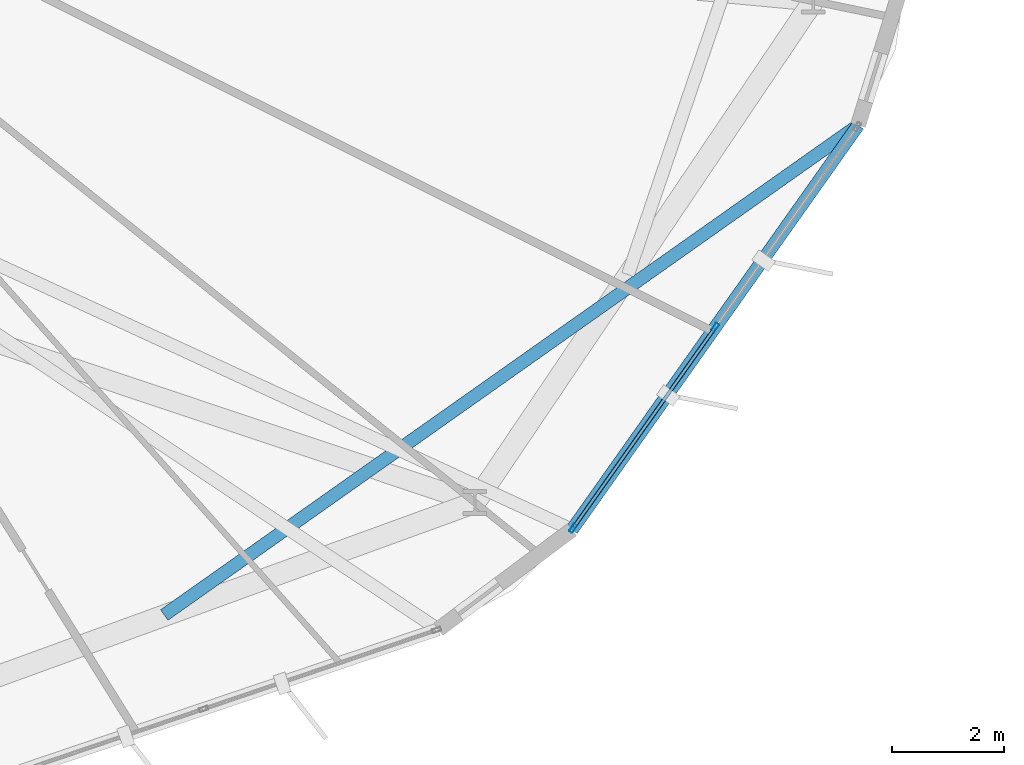
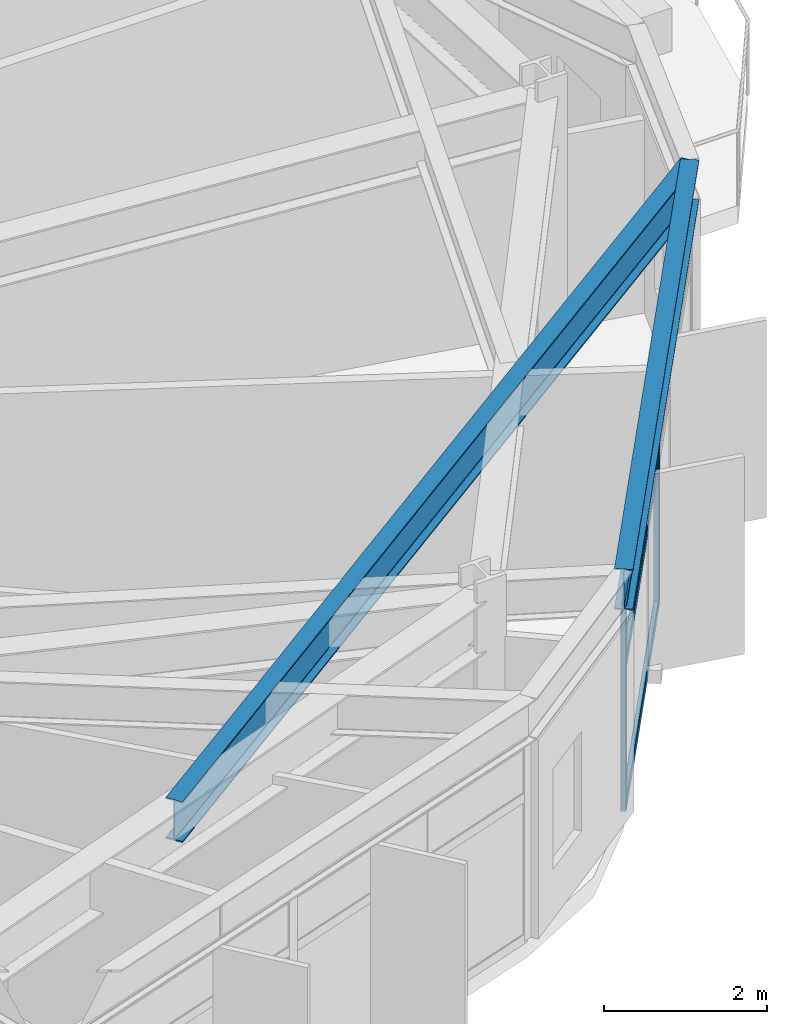
# One storey, part 11 of 25: 5 members, 2 beams, 1 element without a shape of its own.
"""IFC4 building model written with IfcOpenShell, lengths in metres."""

from ifc_helpers import new_model, si_unit, direction, frame, origin, origin_2d, place, context, subcontext, project, spatial, hollow_rectangle, i_section, extrude, material, layer, layer_set, material_profile, profile_set, type_object, element, aggregate, save


model = new_model("IFC4")

# Units and contexts
model_context = context("Model", 3, precision=1e-05, world=origin(), true_north=direction((0.0, 1.0)))
body_context = subcontext(model_context, "Body", "Model", "MODEL_VIEW")
ifc_project = project(units=[si_unit("LENGTHUNIT", "METRE"), si_unit("AREAUNIT", "SQUARE_METRE"), si_unit("VOLUMEUNIT", "CUBIC_METRE"), si_unit("PLANEANGLEUNIT", "RADIAN"), si_unit("MASSUNIT", "GRAM", prefix="KILO")], contexts=[model_context])

# Site, building, storey
site_placement = place(None, origin())
site = spatial("IfcSite", under=ifc_project, at=site_placement, CompositionType="ELEMENT")
building_placement = place(site_placement, origin())
building = spatial("IfcBuilding", under=site, at=building_placement, Name="Soratama Intermodal Tower", CompositionType="ELEMENT")
storey_placement = place(building_placement, frame((0.0, 0.0, 106.89990234375)))
storey = spatial("IfcBuildingStorey", under=building, at=storey_placement, Name="L25", CompositionType="ELEMENT", Elevation=106.89990234375)

# Beams
ifc_material_1 = material(Name="Structural steel ASTM A992 Grade 50", Category="steel")
ifc_material_profile_1 = material_profile(ifc_material_1, i_section(OverallWidth=0.22900390625, OverallDepth=0.612060546875, WebThickness=0.011962890625, FlangeThickness=0.01953125, FilletRadius=0.012939453125, at=origin_2d()), Name="W24X84")
ifc_profile_set_1 = profile_set([ifc_material_profile_1], Name="Structural steel ASTM A992 Grade 50")
beam_type_1 = type_object("IfcBeamType", Name="BM-SPN-W24X84", PredefinedType="SPANDREL", material=ifc_profile_set_1)
beam_1_placement = place(storey_placement, frame((57.43798828125, 10.805908203125, 3.294189453125), z_axis=(0.577605770841, 0.816315854, 0.0), x_axis=(-0.816315854, 0.577605770841, 0.0)))
element("IfcBeam", 1, at=beam_1_placement, inside=storey, type_object=beam_type_1, Name="BS-L25-F09", PredefinedType="SPANDREL", context=body_context, shape_type="SweptSolid", body=[
    extrude(i_section(OverallWidth=0.22900390625, OverallDepth=0.612060546875, WebThickness=0.011962890625, FlangeThickness=0.01953125, FilletRadius=0.012939453125, at=origin_2d()), origin(), (0.0, 0.0, 1.0), 8.806884765625),
])
ifc_material_2 = material(Name="Structural steel ASTM A992 Grade 50", Category="steel")
ifc_material_profile_2 = material_profile(ifc_material_2, i_section(OverallWidth=0.22900390625, OverallDepth=0.612060546875, WebThickness=0.011962890625, FlangeThickness=0.01953125, FilletRadius=0.012939453125, at=origin_2d()), Name="W24X84")
ifc_profile_set_2 = profile_set([ifc_material_profile_2], Name="Structural steel ASTM A992 Grade 50")
beam_type_2 = type_object("IfcBeamType", Name="BM-TIE-W24X84", PredefinedType="BEAM", material=ifc_profile_set_2)
beam_2_placement = place(storey_placement, frame((50.18896484375, 9.2890625, 3.294189453125), z_axis=(0.817019841808, 0.576609554284, 0.0), x_axis=(-0.576609554284, 0.817019841808, 0.0)))
element("IfcBeam", 2, at=beam_2_placement, inside=storey, type_object=beam_type_2, Name="BM-L25-TIE1-09", PredefinedType="BEAM", context=body_context, shape_type="SweptSolid", body=[
    extrude(i_section(OverallWidth=0.22900390625, OverallDepth=0.612060546875, WebThickness=0.011962890625, FlangeThickness=0.01953125, FilletRadius=0.012939453125, at=origin_2d()), origin(), (0.0, 0.0, 1.0), 15.0986328125),
])

# Curtain wall, members
ifc_material_3 = material(Name="Double-glazed aluminium curtain wall", Category="aluminium")
ifc_layer = layer(ifc_material_3, 0.159912109375)
ifc_layer_set = layer_set([ifc_layer], Name="Double-glazed aluminium curtain wall")
curtain_wall_type = type_object("IfcCurtainWallType", Name="CW-SYS-3", PredefinedType="NOTDEFINED", material=ifc_layer_set)
curtain_wall_placement = place(storey_placement, origin())
curtain_wall = element("IfcCurtainWall", 3, at=curtain_wall_placement, inside=storey, type_object=curtain_wall_type, Name="L25 Faceted Curtain Wall F09", PredefinedType="NOTDEFINED")
ifc_material_4 = material(Name="Anodised aluminium AA 6063-T6", Category="aluminium")
ifc_material_profile_3 = material_profile(ifc_material_4, hollow_rectangle(XDim=0.070068359375, YDim=0.159912109375, WallThickness=0.0048828125, InnerFilletRadius=0.0048828125, OuterFilletRadius=0.010009765625, at=origin_2d()), Name="CWM160X70X5")
ifc_profile_set_3 = profile_set([ifc_material_profile_3], Name="Anodised aluminium AA 6063-T6")
member_type_1 = type_object("IfcMemberType", Name="MT-CWM-3", PredefinedType="MULLION", material=ifc_profile_set_3)
member_1_placement = place(storey_placement, frame((57.455322265625, 10.830322265625, 0.0), z_axis=(0.0, 0.0, 1.0), x_axis=(-0.816333893981, 0.57758027454, 0.0)))
member_1 = element("IfcMember", 4, at=member_1_placement, type_object=member_type_1, Name="CW-3 mullion 1", PredefinedType="MULLION", context=body_context, shape_type="SweptSolid", body=[
    extrude(hollow_rectangle(XDim=0.070068359375, YDim=0.159912109375, WallThickness=0.0048828125, InnerFilletRadius=0.0048828125, OuterFilletRadius=0.010009765625, at=origin_2d()), origin(), (0.0, 0.0, 1.0), 2.97900390625),
])
member_2_placement = place(storey_placement, frame((59.9814453125, 14.400390625, 0.0), z_axis=(0.0, 0.0, 1.0), x_axis=(-0.816333893981, 0.57758027454, 0.0)))
member_2 = element("IfcMember", 5, at=member_2_placement, type_object=member_type_1, Name="CW-3 mullion 2", PredefinedType="MULLION", context=body_context, shape_type="SweptSolid", body=[
    extrude(hollow_rectangle(XDim=0.070068359375, YDim=0.159912109375, WallThickness=0.0048828125, InnerFilletRadius=0.0048828125, OuterFilletRadius=0.010009765625, at=origin_2d()), origin(), (0.0, 0.0, 1.0), 2.97900390625),
])
ifc_material_5 = material(Name="Anodised aluminium AA 6063-T6", Category="aluminium")
ifc_material_profile_4 = material_profile(ifc_material_5, hollow_rectangle(XDim=0.06494140625, YDim=0.14990234375, WallThickness=0.0048828125, InnerFilletRadius=0.0048828125, OuterFilletRadius=0.010009765625, at=origin_2d()), Name="CWT150X65X5")
ifc_profile_set_4 = profile_set([ifc_material_profile_4], Name="Anodised aluminium AA 6063-T6")
member_type_2 = type_object("IfcMemberType", Name="TT-CWT-1", PredefinedType="USERDEFINED", material=ifc_profile_set_4)
member_3_placement = place(storey_placement, frame((57.47265625, 10.85498046875, 0.030029296875), z_axis=(0.577618378327, 0.816306933095, 0.0), x_axis=(-0.816306933095, 0.577618378327, 0.0)))
member_3 = element("IfcMember", 6, at=member_3_placement, type_object=member_type_2, Name="CW-3 transom 1.1", ObjectType="TRANSOM", PredefinedType="USERDEFINED", context=body_context, shape_type="SweptSolid", body=[
    extrude(hollow_rectangle(XDim=0.06494140625, YDim=0.14990234375, WallThickness=0.0048828125, InnerFilletRadius=0.0048828125, OuterFilletRadius=0.010009765625, at=origin_2d()), origin(), (0.0, 0.0, 1.0), 4.313232421875),
])
member_4_placement = place(storey_placement, frame((57.47265625, 10.85498046875, 2.150146484375), z_axis=(0.577618378327, 0.816306933095, 0.0), x_axis=(-0.816306933095, 0.577618378327, 0.0)))
member_4 = element("IfcMember", 7, at=member_4_placement, type_object=member_type_2, Name="CW-3 transom 1.2", ObjectType="TRANSOM", PredefinedType="USERDEFINED", context=body_context, shape_type="SweptSolid", body=[
    extrude(hollow_rectangle(XDim=0.06494140625, YDim=0.14990234375, WallThickness=0.0048828125, InnerFilletRadius=0.0048828125, OuterFilletRadius=0.010009765625, at=origin_2d()), origin(), (0.0, 0.0, 1.0), 4.313232421875),
])
member_5_placement = place(storey_placement, frame((57.47265625, 10.85498046875, 2.94921875), z_axis=(0.577618378327, 0.816306933095, 0.0), x_axis=(-0.816306933095, 0.577618378327, 0.0)))
member_5 = element("IfcMember", 8, at=member_5_placement, type_object=member_type_2, Name="CW-3 transom 1.3", ObjectType="TRANSOM", PredefinedType="USERDEFINED", context=body_context, shape_type="SweptSolid", body=[
    extrude(hollow_rectangle(XDim=0.06494140625, YDim=0.14990234375, WallThickness=0.0048828125, InnerFilletRadius=0.0048828125, OuterFilletRadius=0.010009765625, at=origin_2d()), origin(), (0.0, 0.0, 1.0), 4.313232421875),
])
aggregate(curtain_wall, [member_1, member_2, member_3, member_4, member_5])

save(model, "model.ifc")
